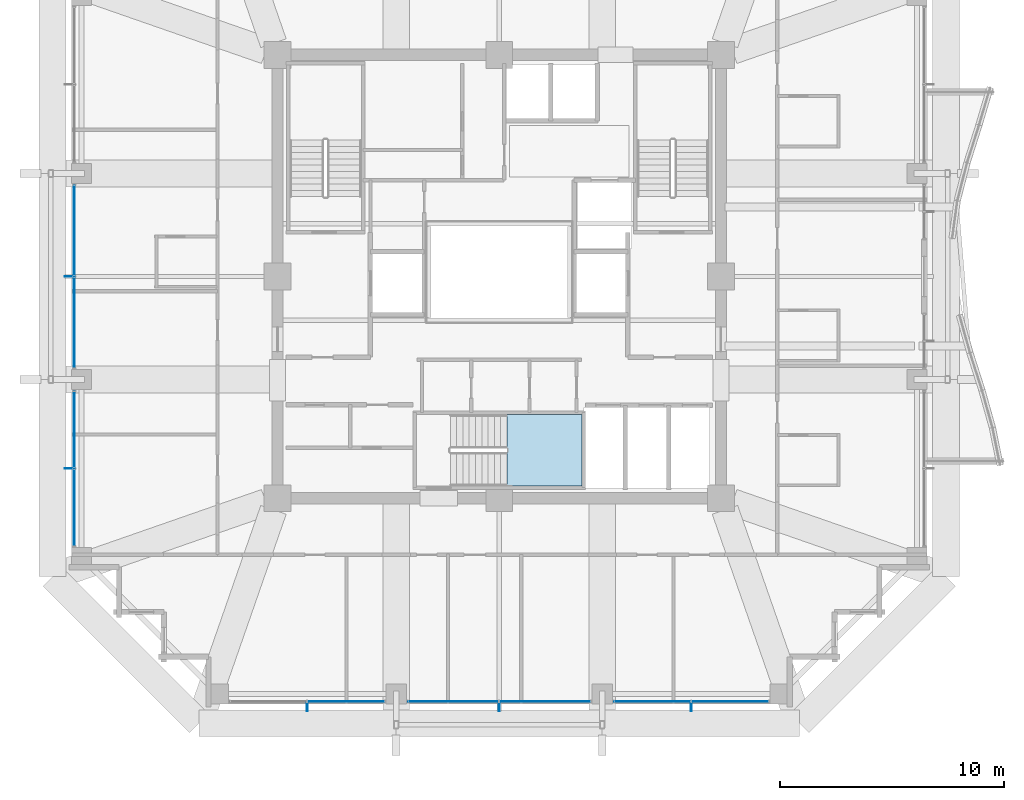
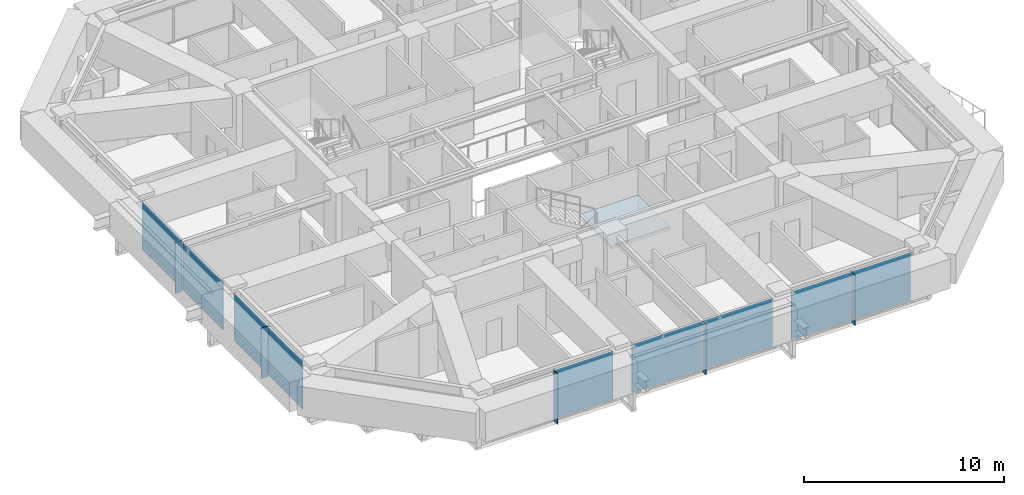
# One storey, part 29 of 40: 14 plates, 1 slab, 6 elements without a shape of their own.
"""IFC4 building model written with IfcOpenShell, lengths in metres."""

from ifc_helpers import new_model, si_unit, direction, frame, origin, origin_2d, place, context, subcontext, project, spatial, polyline, rectangle, outline, extrude, material, layer, layer_set, type_object, element, aggregate, save


model = new_model("IFC4")

# Units and contexts
model_context = context("Model", 3, precision=1e-05, world=origin(), true_north=direction((0.0, 1.0)))
body_context = subcontext(model_context, "Body", "Model", "MODEL_VIEW")
ifc_project = project(units=[si_unit("LENGTHUNIT", "METRE"), si_unit("AREAUNIT", "SQUARE_METRE"), si_unit("VOLUMEUNIT", "CUBIC_METRE"), si_unit("PLANEANGLEUNIT", "RADIAN"), si_unit("MASSUNIT", "GRAM", prefix="KILO")], contexts=[model_context])

# Site, building, storey
site_placement = place(None, origin())
site = spatial("IfcSite", under=ifc_project, at=site_placement, CompositionType="ELEMENT")
building_placement = place(site_placement, origin())
building = spatial("IfcBuilding", under=site, at=building_placement, Name="Kolvaren Belvedere", CompositionType="ELEMENT")
storey_placement = place(building_placement, frame((0.0, 0.0, 170.10009765625)))
storey = spatial("IfcBuildingStorey", under=building, at=storey_placement, Name="L49", CompositionType="ELEMENT", Elevation=170.10009765625)

# Curtain wall, plates
ifc_material_1 = material(Name="Anodised pale-metal aluminium AA 6063-T6", Category="aluminium")
curtain_wall_type = type_object("IfcCurtainWallType", Name="CW-Z3-WAIST", PredefinedType="NOTDEFINED", material=ifc_material_1)
curtain_wall_1_placement = place(storey_placement, origin())
curtain_wall_1 = element("IfcCurtainWall", 1, at=curtain_wall_1_placement, inside=storey, type_object=curtain_wall_type, Name="L49 Unitised Curtain Wall FCW-L49-S-B1", PredefinedType="NOTDEFINED")
ifc_material_2 = material(Name="Low-iron triple insulated glass", Category="glass")
ifc_layer_1 = layer(ifc_material_2, 0.028076171875)
ifc_layer_set_1 = layer_set([ifc_layer_1], Name="Low-iron triple insulated glass")
plate_type_1 = type_object("IfcPlateType", Name="CW-PNL-VIS28", PredefinedType="CURTAIN_PANEL", material=ifc_layer_set_1)
plate_1_placement = place(storey_placement, frame((10.311279296875, -18.97998046875, 0.079833984375), z_axis=(0.0, 0.0, 1.0), x_axis=(-1.0, 0.0, 0.0)))
plate_1 = element("IfcPlate", 2, at=plate_1_placement, type_object=plate_type_1, Name="FCW-L49-S-B1 Vision Glazing Panel 1", PredefinedType="CURTAIN_PANEL", context=body_context, shape_type="SweptSolid", body=[
    extrude(rectangle(XDim=3.392578125, YDim=0.028076171875, at=origin_2d()), origin(), (0.0, 0.0, 1.0), 2.919921875),
])
plate_2_placement = place(storey_placement, frame((6.8388671875, -18.97998046875, 0.079833984375), z_axis=(0.0, 0.0, 1.0), x_axis=(-1.0, 0.0, 0.0)))
plate_2 = element("IfcPlate", 3, at=plate_2_placement, type_object=plate_type_1, Name="FCW-L49-S-B1 Vision Glazing Panel 2", PredefinedType="CURTAIN_PANEL", context=body_context, shape_type="SweptSolid", body=[
    extrude(rectangle(XDim=3.392578125, YDim=0.028076171875, at=origin_2d()), origin(), (0.0, 0.0, 1.0), 2.919921875),
])
aggregate(curtain_wall_1, [plate_1, plate_2])

curtain_wall_2_placement = place(storey_placement, origin())
curtain_wall_2 = element("IfcCurtainWall", 4, at=curtain_wall_2_placement, inside=storey, type_object=curtain_wall_type, Name="L49 Unitised Curtain Wall FCW-L49-S-B2", PredefinedType="NOTDEFINED")
plate_3_placement = place(storey_placement, frame((2.048828125, -18.97998046875, 0.079833984375), z_axis=(0.0, 0.0, 1.0), x_axis=(-1.0, 0.0, 0.0)))
plate_3 = element("IfcPlate", 5, at=plate_3_placement, type_object=plate_type_1, Name="FCW-L49-S-B2 Vision Glazing Panel 1", PredefinedType="CURTAIN_PANEL", context=body_context, shape_type="SweptSolid", body=[
    extrude(rectangle(XDim=4.017578125, YDim=0.028076171875, at=origin_2d()), origin(), (0.0, 0.0, 1.0), 2.919921875),
])
plate_4_placement = place(storey_placement, frame((-2.048828125, -18.97998046875, 0.079833984375), z_axis=(0.0, 0.0, 1.0), x_axis=(-1.0, 0.0, 0.0)))
plate_4 = element("IfcPlate", 6, at=plate_4_placement, type_object=plate_type_1, Name="FCW-L49-S-B2 Vision Glazing Panel 2", PredefinedType="CURTAIN_PANEL", context=body_context, shape_type="SweptSolid", body=[
    extrude(rectangle(XDim=4.017578125, YDim=0.028076171875, at=origin_2d()), origin(), (0.0, 0.0, 1.0), 2.919921875),
])
aggregate(curtain_wall_2, [plate_3, plate_4])

# Curtain wall, plate
curtain_wall_3_placement = place(storey_placement, origin())
curtain_wall_3 = element("IfcCurtainWall", 7, at=curtain_wall_3_placement, inside=storey, type_object=curtain_wall_type, Name="L49 Unitised Curtain Wall FCW-L49-S-B3", PredefinedType="NOTDEFINED")
plate_5_placement = place(storey_placement, frame((-6.8388671875, -18.97998046875, 0.079833984375), z_axis=(0.0, 0.0, 1.0), x_axis=(-1.0, 0.0, 0.0)))
plate_5 = element("IfcPlate", 8, at=plate_5_placement, type_object=plate_type_1, Name="FCW-L49-S-B3 Vision Glazing Panel 1", PredefinedType="CURTAIN_PANEL", context=body_context, shape_type="SweptSolid", body=[
    extrude(rectangle(XDim=3.392578125, YDim=0.028076171875, at=origin_2d()), origin(), (0.0, 0.0, 1.0), 2.919921875),
])
aggregate(curtain_wall_3, [plate_5])

# Curtain wall, plates
curtain_wall_4_placement = place(storey_placement, origin())
curtain_wall_4 = element("IfcCurtainWall", 9, at=curtain_wall_4_placement, inside=storey, type_object=curtain_wall_type, Name="L49 Unitised Curtain Wall FCW-L49-W-B1", PredefinedType="NOTDEFINED")
plate_6_placement = place(storey_placement, frame((-18.97998046875, -10.311279296875, 0.079833984375), z_axis=(0.0, 0.0, 1.0), x_axis=(0.0, 1.0, 0.0)))
plate_6 = element("IfcPlate", 10, at=plate_6_placement, type_object=plate_type_1, Name="FCW-L49-W-B1 Vision Glazing Panel 1", PredefinedType="CURTAIN_PANEL", context=body_context, shape_type="SweptSolid", body=[
    extrude(rectangle(XDim=3.392578125, YDim=0.028076171875, at=origin_2d()), origin(), (0.0, 0.0, 1.0), 2.919921875),
])
plate_7_placement = place(storey_placement, frame((-18.97998046875, -6.8388671875, 0.079833984375), z_axis=(0.0, 0.0, 1.0), x_axis=(0.0, 1.0, 0.0)))
plate_7 = element("IfcPlate", 11, at=plate_7_placement, type_object=plate_type_1, Name="FCW-L49-W-B1 Vision Glazing Panel 2", PredefinedType="CURTAIN_PANEL", context=body_context, shape_type="SweptSolid", body=[
    extrude(rectangle(XDim=3.392578125, YDim=0.028076171875, at=origin_2d()), origin(), (0.0, 0.0, 1.0), 2.919921875),
])
aggregate(curtain_wall_4, [plate_6, plate_7])

curtain_wall_5_placement = place(storey_placement, origin())
curtain_wall_5 = element("IfcCurtainWall", 12, at=curtain_wall_5_placement, inside=storey, type_object=curtain_wall_type, Name="L49 Unitised Curtain Wall FCW-L49-W-B2", PredefinedType="NOTDEFINED")
plate_8_placement = place(storey_placement, frame((-18.97998046875, -2.048828125, 0.079833984375), z_axis=(0.0, 0.0, 1.0), x_axis=(0.0, 1.0, 0.0)))
plate_8 = element("IfcPlate", 13, at=plate_8_placement, type_object=plate_type_1, Name="FCW-L49-W-B2 Vision Glazing Panel 1", PredefinedType="CURTAIN_PANEL", context=body_context, shape_type="SweptSolid", body=[
    extrude(rectangle(XDim=4.017578125, YDim=0.028076171875, at=origin_2d()), origin(), (0.0, 0.0, 1.0), 2.919921875),
])
plate_9_placement = place(storey_placement, frame((-18.97998046875, 2.048828125, 0.079833984375), z_axis=(0.0, 0.0, 1.0), x_axis=(0.0, 1.0, 0.0)))
plate_9 = element("IfcPlate", 14, at=plate_9_placement, type_object=plate_type_1, Name="FCW-L49-W-B2 Vision Glazing Panel 2", PredefinedType="CURTAIN_PANEL", context=body_context, shape_type="SweptSolid", body=[
    extrude(rectangle(XDim=4.017578125, YDim=0.028076171875, at=origin_2d()), origin(), (0.0, 0.0, 1.0), 2.919921875),
])
aggregate(curtain_wall_5, [plate_8, plate_9])

# Plates
ifc_material_3 = material(Name="Anodised pale-metal aluminium AA 6063-T6", Category="aluminium")
ifc_layer_2 = layer(ifc_material_3, 0.033935546875)
ifc_layer_set_2 = layer_set([ifc_layer_2], Name="Anodised pale-metal aluminium AA 6063-T6")
plate_type_2 = type_object("IfcPlateType", Name="FIN-VERT-380", PredefinedType="USERDEFINED", material=ifc_layer_set_2)
for number, where, z_axis, x_axis, name in (
    (15, (8.574951171875, -19.219970703125, -0.000244140625), (0.0, 0.0, 1.0), (0.0, 1.0, 0.0), "L49 Pale-Metal Vertical Shading Fin FCW-L49-S-B1-1"),
    (16, (0.0, -19.219970703125, -0.000244140625), (0.0, 0.0, 1.0), (0.0, 1.0, 0.0), "L49 Pale-Metal Vertical Shading Fin FCW-L49-S-B2-1"),
    (17, (-8.574951171875, -19.219970703125, -0.000244140625), (0.0, 0.0, 1.0), (0.0, 1.0, 0.0), "L49 Pale-Metal Vertical Shading Fin FCW-L49-S-B3-1"),
    (18, (-19.219970703125, -8.574951171875, -0.000244140625), (0.0, 0.0, 1.0), (1.0, 0.0, 0.0), "L49 Pale-Metal Vertical Shading Fin FCW-L49-W-B1-1"),
    (19, (-19.219970703125, 0.0, -0.000244140625), (0.0, 0.0, 1.0), (1.0, 0.0, 0.0), "L49 Pale-Metal Vertical Shading Fin FCW-L49-W-B2-1"),
):
    element("IfcPlate", number, at=place(storey_placement, frame(where, z_axis=z_axis, x_axis=x_axis)), inside=storey, type_object=plate_type_2, Name=name, ObjectType="VERTICAL FIN", PredefinedType="USERDEFINED", context=body_context, shape_type="SweptSolid", body=[
        extrude(rectangle(XDim=0.3798828125, YDim=0.033935546875, at=origin_2d()), origin(), (0.0, 0.0, 1.0), 3.080078125),
    ])

# Stair, slab
ifc_material_4 = material(Name="Concrete C50/60", Category="concrete")
stair_type = type_object("IfcStairType", Name="ST-CORE-1520", PredefinedType="HALF_TURN_STAIR", material=ifc_material_4)
stair_placement = place(storey_placement, origin())
stair = element("IfcStair", 20, at=stair_placement, inside=storey, type_object=stair_type, Name="L49 Protected Exit Stair ST-3", PredefinedType="HALF_TURN_STAIR")
ifc_material_5 = material(Name="Concrete C50/60", Category="concrete")
ifc_layer_3 = layer(ifc_material_5, 0.260009765625)
ifc_layer_set_3 = layer_set([ifc_layer_3], Name="Concrete C50/60")
slab_type = type_object("IfcSlabType", Name="SL-LAND-260", PredefinedType="LANDING", material=ifc_layer_set_3)
slab_placement = place(storey_placement, frame((0.0, 0.0, 1.449951171875)))
slab = element("IfcSlab", 21, at=slab_placement, type_object=slab_type, Name="ST-3 landing 1", PredefinedType="LANDING", context=body_context, shape_type="SweptSolid", body=[
    extrude(outline(polyline([(0.340087890625, -9.35009765625), (3.699951171875, -9.35009765625), (3.699951171875, -6.159912109375), (0.340087890625, -6.159912109375), (0.340087890625, -9.35009765625)])), origin(), (0.0, 0.0, 1.0), 0.199951171875),
])
aggregate(stair, [slab])

save(model, "model.ifc")
